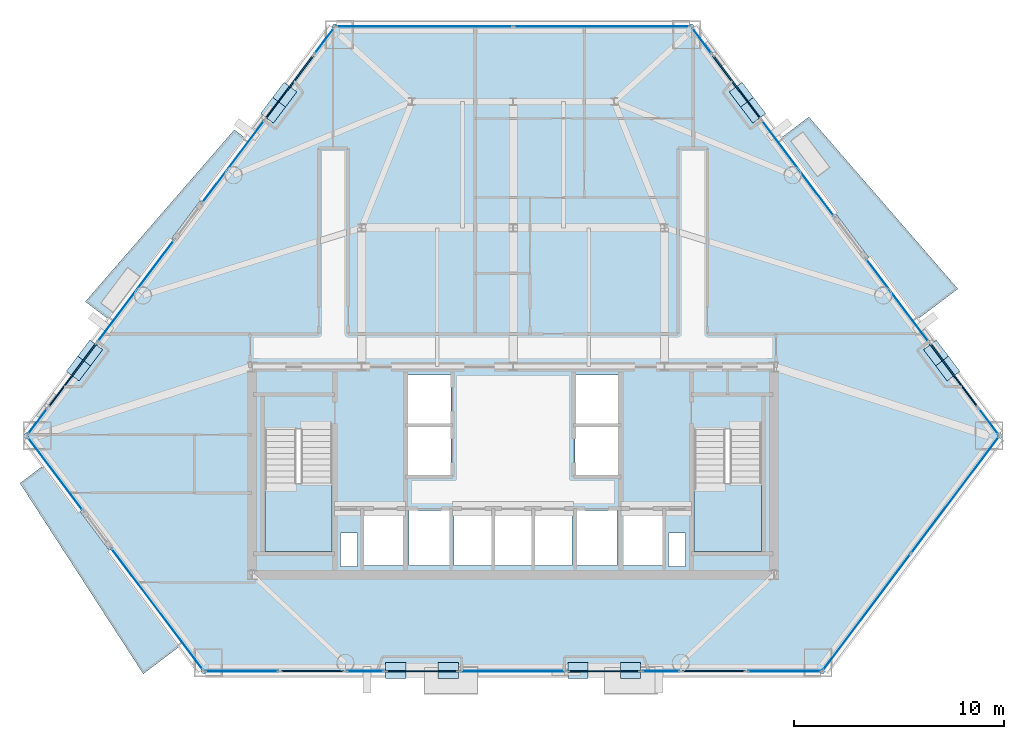
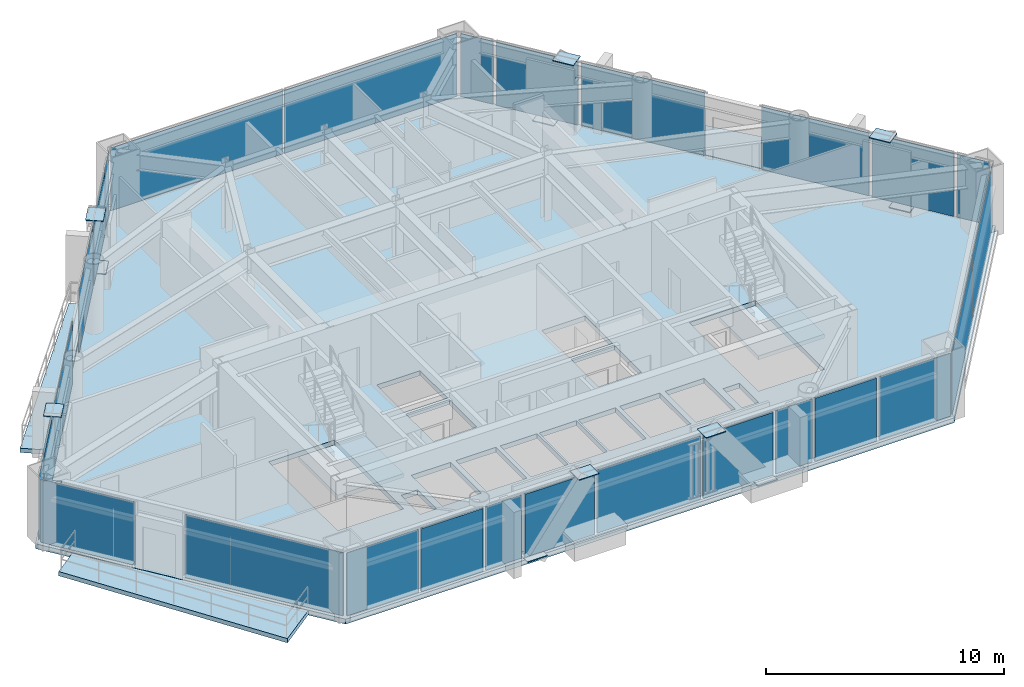
# One storey, part 5 of 10: 39 plates, 6 slabs, 27 elements without a shape of their own.
"""IFC4 building model written with IfcOpenShell, lengths in metres."""

from ifc_helpers import new_model, si_unit, direction, frame, origin, origin_2d, place, context, subcontext, project, spatial, polyline, rectangle, outline, extrude, source, transform, mapped, material, layer, layer_set, type_object, type_shapes, element, aggregate, save


model = new_model("IFC4")

# Units and contexts
model_context = context("Model", 3, precision=1e-05, world=origin(), true_north=direction((0.0, 1.0)))
body_context = subcontext(model_context, "Body", "Model", "MODEL_VIEW")
ifc_project = project(units=[si_unit("LENGTHUNIT", "METRE"), si_unit("AREAUNIT", "SQUARE_METRE"), si_unit("VOLUMEUNIT", "CUBIC_METRE"), si_unit("PLANEANGLEUNIT", "RADIAN"), si_unit("MASSUNIT", "GRAM", prefix="KILO")], contexts=[model_context])

# Site, building, storey
site_placement = place(None, origin())
site = spatial("IfcSite", under=ifc_project, at=site_placement, CompositionType="ELEMENT")
building_placement = place(site_placement, origin())
building = spatial("IfcBuilding", under=site, at=building_placement, Name="Talgorran Terracotta Tower", CompositionType="ELEMENT")
storey_placement = place(building_placement, frame((0.0, 0.0, 31.5)))
storey = spatial("IfcBuildingStorey", under=building, at=storey_placement, Name="L07", CompositionType="ELEMENT", Elevation=31.5)

# Plates
ifc_material_1 = material(Name="Steel Grade 350 (350L0)", Category="steel")
ifc_layer_1 = layer(ifc_material_1, 0.0400390625, Name="PL_CAP_MN05")
ifc_layer_set_1 = layer_set([ifc_layer_1], Name="Steel Grade 350 (350L0)")
plate_type_1 = type_object("IfcPlateType", Name="PL_CAP_MN05", PredefinedType="USERDEFINED", material=ifc_layer_set_1)
for number, where, z_axis, x_axis, name in (
    (1, (-5.57666015625, -18.639892578125, -0.010009765625), (0.0, 0.0, 1.0), (1.0, 0.0, 0.0), "L07 Diagonal Frame End Cap SWF Bot"),
    (2, (-3.081787109375, -18.639892578125, 3.320068359375), (0.0, 0.0, 1.0), (1.0, 0.0, 0.0), "L07 Diagonal Frame End Cap SWF Top"),
    (3, (5.57666015625, -18.639892578125, -0.010009765625), (0.0, 0.0, 1.0), (-1.0, 0.0, 0.0), "L07 Diagonal Frame End Cap SEF Bot"),
    (4, (3.081787109375, -18.639892578125, 3.320068359375), (0.0, 0.0, 1.0), (-1.0, 0.0, 0.0), "L07 Diagonal Frame End Cap SEF Top"),
    (5, (20.64794921875, -4.2666015625, -0.010009765625), (0.0, 0.0, 1.0), (-0.601815023152, 0.798635510047, 0.0), "L07 Diagonal Frame End Cap NEL Bot"),
    (6, (20.1064453125, -3.548095703125, 3.320068359375), (0.0, 0.0, 1.0), (-0.601815023152, 0.798635510047, 0.0), "L07 Diagonal Frame End Cap NEL Top"),
    (7, (10.8720703125, 8.70654296875, -0.010009765625), (0.0, 0.0, 1.0), (0.601815023152, -0.798635510047, 0.0), "L07 Diagonal Frame End Cap NEU Bot"),
    (8, (11.413330078125, 7.988037109375, 3.320068359375), (0.0, 0.0, 1.0), (0.601815023152, -0.798635510047, 0.0), "L07 Diagonal Frame End Cap NEU Top"),
    (9, (-10.8720703125, 8.70654296875, -0.010009765625), (0.0, 0.0, 1.0), (-0.601815023152, -0.798635510047, 0.0), "L07 Diagonal Frame End Cap NWU Bot"),
    (10, (-11.413330078125, 7.988037109375, 3.320068359375), (0.0, 0.0, 1.0), (-0.601815023152, -0.798635510047, 0.0), "L07 Diagonal Frame End Cap NWU Top"),
    (11, (-20.64794921875, -4.2666015625, -0.010009765625), (0.0, 0.0, 1.0), (0.601815023152, 0.798635510047, 0.0), "L07 Diagonal Frame End Cap NWL Bot"),
    (12, (-20.1064453125, -3.548095703125, 3.320068359375), (0.0, 0.0, 1.0), (0.601815023152, 0.798635510047, 0.0), "L07 Diagonal Frame End Cap NWL Top"),
):
    element("IfcPlate", number, at=place(storey_placement, frame(where, z_axis=z_axis, x_axis=x_axis)), inside=storey, type_object=plate_type_1, Name=name, ObjectType="CAP PLATE", PredefinedType="USERDEFINED", context=body_context, shape_type="SweptSolid", body=[
        extrude(rectangle(XDim=0.9599609375, YDim=0.760009765625, at=origin_2d()), origin(), (0.0, 0.0, 1.0), 0.0400390625),
    ])

# Slabs
ifc_material_2 = material(Name="Concrete C40/50", Category="concrete")
ifc_layer_2 = layer(ifc_material_2, 0.219970703125, Name="SL_BALCONY_220")
ifc_layer_set_2 = layer_set([ifc_layer_2], Name="Concrete C40/50")
slab_type_1 = type_object("IfcSlabType", Name="SL_BALCONY_220", PredefinedType="FLOOR", material=ifc_layer_set_2)
slab_1_placement = place(storey_placement, frame((0.0, 0.0, -0.219970703125)))
element("IfcSlab", 13, at=slab_1_placement, inside=storey, type_object=slab_type_1, Name="L07 Outdoor Wave Balcony BAL-NE", PredefinedType="FLOOR", context=body_context, shape_type="SweptSolid", body=[
    extrude(outline(polyline([(12.665771484375, 6.61669921875), (19.158203125, -1.998779296875), (21.143798828125, -0.50244140625), (14.06005859375, 7.66748046875), (12.665771484375, 6.61669921875)])), origin(), (0.0, 0.0, 1.0), 0.219970703125),
])
slab_2_placement = place(storey_placement, frame((0.0, 0.0, -0.219970703125)))
element("IfcSlab", 14, at=slab_2_placement, inside=storey, type_object=slab_type_1, Name="L07 Outdoor Wave Balcony BAL-NW", PredefinedType="FLOOR", context=body_context, shape_type="SweptSolid", body=[
    extrude(outline(polyline([(-19.158203125, -1.998779296875), (-12.665771484375, 6.61669921875), (-13.251708984375, 7.058349609375), (-20.335693359375, -1.111572265625), (-19.158203125, -1.998779296875)])), origin(), (0.0, 0.0, 1.0), 0.219970703125),
])
slab_3_placement = place(storey_placement, frame((0.0, 0.0, -0.219970703125)))
element("IfcSlab", 15, at=slab_3_placement, inside=storey, type_object=slab_type_1, Name="L07 Outdoor Wave Balcony BAL-SW", PredefinedType="FLOOR", context=body_context, shape_type="SweptSolid", body=[
    extrude(outline(polyline([(-15.789794921875, -17.451904296875), (-22.266845703125, -8.856689453125), (-23.442626953125, -9.74267578125), (-17.582275390625, -18.802490234375), (-15.789794921875, -17.451904296875)])), origin(), (0.0, 0.0, 1.0), 0.219970703125),
])

# Stair, slab
stair_type = type_object("IfcStairType", Name="ST_FIRE_SCISSOR", PredefinedType="HALF_TURN_STAIR", material=ifc_material_2)
stair_1_placement = place(storey_placement, origin())
stair_1 = element("IfcStair", 16, at=stair_1_placement, inside=storey, type_object=stair_type, Name="L07 West Protected Fire Stair ST-01", PredefinedType="HALF_TURN_STAIR")
ifc_layer_3 = layer(ifc_material_2, 0.199951171875, Name="SL_LANDING_200")
ifc_layer_set_3 = layer_set([ifc_layer_3], Name="Concrete C40/50")
slab_type_2 = type_object("IfcSlabType", Name="SL_LANDING_200", PredefinedType="LANDING", material=ifc_layer_set_3)
slab_4_placement = place(storey_placement, frame((0.0, 0.0, 1.60009765625)))
slab_4 = element("IfcSlab", 17, at=slab_4_placement, type_object=slab_type_2, Name="ST-01 landing 1", PredefinedType="LANDING", context=body_context, shape_type="SweptSolid", body=[
    extrude(outline(polyline([(-11.800048828125, -9.719970703125), (-11.800048828125, -13.0), (-8.60009765625, -13.0), (-8.60009765625, -9.719970703125), (-11.800048828125, -9.719970703125)])), origin(), (0.0, 0.0, 1.0), 0.199951171875),
])
aggregate(stair_1, [slab_4])

stair_2_placement = place(storey_placement, origin())
stair_2 = element("IfcStair", 18, at=stair_2_placement, inside=storey, type_object=stair_type, Name="L07 East Protected Fire Stair ST-02", PredefinedType="HALF_TURN_STAIR")
slab_5_placement = place(storey_placement, frame((0.0, 0.0, 1.60009765625)))
slab_5 = element("IfcSlab", 19, at=slab_5_placement, type_object=slab_type_2, Name="ST-02 landing 1", PredefinedType="LANDING", context=body_context, shape_type="SweptSolid", body=[
    extrude(outline(polyline([(8.60009765625, -9.719970703125), (8.60009765625, -13.0), (11.800048828125, -13.0), (11.800048828125, -9.719970703125), (8.60009765625, -9.719970703125)])), origin(), (0.0, 0.0, 1.0), 0.199951171875),
])
aggregate(stair_2, [slab_5])

# Slab
ifc_layer_4 = layer(ifc_material_2, 0.264892578125, Name="SL_TOWER_265")
ifc_layer_set_4 = layer_set([ifc_layer_4], Name="Concrete C40/50")
slab_type_3 = type_object("IfcSlabType", Name="SL_TOWER_265", PredefinedType="FLOOR", material=ifc_layer_set_4)
slab_6_placement = place(storey_placement, frame((0.0, 0.0, -0.25)))
element("IfcSlab", 20, at=slab_6_placement, inside=storey, type_object=slab_type_3, Name="Storey L07 Structural Floor Slab", PredefinedType="FLOOR", context=body_context, shape_type="SweptSolid", body=[
    extrude(outline(polyline([(-23.277587890625, -7.490478515625), (-14.755126953125, -18.800048828125), (14.755126953125, -18.800048828125), (23.277587890625, -7.490478515625), (8.5224609375, 12.09033203125), (-8.5224609375, 12.09033203125), (-23.277587890625, -7.490478515625)]), holes=[polyline([(-11.800048828125, -7.199951171875), (-11.800048828125, -13.0), (-8.60009765625, -13.0), (-8.60009765625, -7.199951171875), (-11.800048828125, -7.199951171875)]), polyline([(8.60009765625, -7.199951171875), (8.60009765625, -13.0), (11.800048828125, -13.0), (11.800048828125, -7.199951171875), (8.60009765625, -7.199951171875)]), polyline([(-7.10009765625, -13.64990234375), (-5.199951171875, -13.64990234375), (-5.199951171875, -11.050048828125), (-7.10009765625, -11.050048828125), (-7.10009765625, -13.64990234375)]), polyline([(5.199951171875, -13.64990234375), (7.10009765625, -13.64990234375), (7.10009765625, -11.050048828125), (5.199951171875, -11.050048828125), (5.199951171875, -13.64990234375)]), polyline([(3.0, -13.64990234375), (4.949951171875, -13.64990234375), (4.949951171875, -11.050048828125), (3.0, -11.050048828125), (3.0, -13.64990234375)]), polyline([(-4.949951171875, -13.64990234375), (-3.0, -13.64990234375), (-3.0, -11.050048828125), (-4.949951171875, -11.050048828125), (-4.949951171875, -13.64990234375)]), polyline([(-5.050048828125, -9.35009765625), (-2.949951171875, -9.35009765625), (-2.949951171875, -7.050048828125), (-5.050048828125, -7.050048828125), (-5.050048828125, -9.35009765625)]), polyline([(-5.050048828125, -6.89990234375), (-2.949951171875, -6.89990234375), (-2.949951171875, -4.60009765625), (-5.050048828125, -4.60009765625), (-5.050048828125, -6.89990234375)]), polyline([(2.949951171875, -9.35009765625), (5.050048828125, -9.35009765625), (5.050048828125, -7.050048828125), (2.949951171875, -7.050048828125), (2.949951171875, -9.35009765625)]), polyline([(2.949951171875, -6.89990234375), (5.050048828125, -6.89990234375), (5.050048828125, -4.60009765625), (2.949951171875, -4.60009765625), (2.949951171875, -6.89990234375)]), polyline([(-2.800048828125, -13.64990234375), (-1.0, -13.64990234375), (-1.0, -11.050048828125), (-2.800048828125, -11.050048828125), (-2.800048828125, -13.64990234375)]), polyline([(-0.89990234375, -13.64990234375), (0.89990234375, -13.64990234375), (0.89990234375, -11.050048828125), (-0.89990234375, -11.050048828125), (-0.89990234375, -13.64990234375)]), polyline([(1.0, -13.64990234375), (2.800048828125, -13.64990234375), (2.800048828125, -11.050048828125), (1.0, -11.050048828125), (1.0, -13.64990234375)]), polyline([(-8.199951171875, -13.699951171875), (-7.39990234375, -13.699951171875), (-7.39990234375, -12.10009765625), (-8.199951171875, -12.10009765625), (-8.199951171875, -13.699951171875)]), polyline([(7.39990234375, -13.699951171875), (8.199951171875, -13.699951171875), (8.199951171875, -12.10009765625), (7.39990234375, -12.10009765625), (7.39990234375, -13.699951171875)])]), origin(), (0.0, 0.0, 1.0), 0.25),
])

# Curtain wall, plate
ifc_material_3 = material(Name="Unitised Low-E Double Glazing", Category="glass")
ifc_layer_5 = layer(ifc_material_3, 0.199951171875, Name="CW_SYS2_RES_LOW")
ifc_layer_set_5 = layer_set([ifc_layer_5], Name="Unitised Low-E Double Glazing")
curtain_wall_type = type_object("IfcCurtainWallType", Name="CW_SYS2_RES_LOW", PredefinedType="NOTDEFINED", material=ifc_layer_set_5)
curtain_wall_1_placement = place(storey_placement, origin())
curtain_wall_1 = element("IfcCurtainWall", 21, at=curtain_wall_1_placement, inside=storey, type_object=curtain_wall_type, Name="CW-L07-F10", PredefinedType="NOTDEFINED")
ifc_material_4 = material(Name="Low-E Laminated Vision Glass", Category="glass")
ifc_layer_6 = layer(ifc_material_4, 0.028076171875, Name="PLT_VISION_28")
ifc_layer_set_6 = layer_set([ifc_layer_6], Name="Low-E Laminated Vision Glass")
plate_type_2 = type_object("IfcPlateType", Name="PLT_VISION_28", PredefinedType="CURTAIN_PANEL", material=ifc_layer_set_6)
shared_shape_1 = source(origin(), body_context, "Body", "SweptSolid", [
    extrude(rectangle(XDim=4.306396484375, YDim=0.028076171875, at=origin_2d()), origin(), (0.0, 0.0, 1.0), 3.219970703125),
])
plate_1_placement = place(storey_placement, frame((-21.768310546875, -9.2939453125, 0.06494140625), z_axis=(0.0, 0.0, 1.0), x_axis=(0.601801694491, -0.79864555374, 0.0)))
plate_1 = element("IfcPlate", 22, at=plate_1_placement, type_object=plate_type_2, Name="CW-L07-10 panel 1.1", PredefinedType="CURTAIN_PANEL", context=body_context, shape_type="MappedRepresentation", body=[
    mapped(shared_shape_1, transform((0.0, 0.0, 0.0), scale=1.0)),
])
aggregate(curtain_wall_1, [plate_1])

curtain_wall_2_placement = place(storey_placement, origin())
curtain_wall_2 = element("IfcCurtainWall", 23, at=curtain_wall_2_placement, inside=storey, type_object=curtain_wall_type, Name="CW-L07-F11", PredefinedType="NOTDEFINED")
shared_shape_2 = source(origin(), body_context, "Body", "SweptSolid", [
    extrude(rectangle(XDim=7.204345703125, YDim=0.028076171875, at=origin_2d()), origin(), (0.0, 0.0, 1.0), 3.219970703125),
])
plate_2_placement = place(storey_placement, frame((-16.926513671875, -15.71923828125, 0.06494140625), z_axis=(0.0, 0.0, 1.0), x_axis=(0.601811296909, -0.798638317959, 0.0)))
plate_2 = element("IfcPlate", 24, at=plate_2_placement, type_object=plate_type_2, Name="CW-L07-11 panel 1.1", PredefinedType="CURTAIN_PANEL", context=body_context, shape_type="MappedRepresentation", body=[
    mapped(shared_shape_2, transform((0.0, 0.0, 0.0), scale=1.0)),
])
aggregate(curtain_wall_2, [plate_2])

curtain_wall_3_placement = place(storey_placement, origin())
curtain_wall_3 = element("IfcCurtainWall", 25, at=curtain_wall_3_placement, inside=storey, type_object=curtain_wall_type, Name="CW-L07-F1", PredefinedType="NOTDEFINED")
shared_shape_3 = source(origin(), body_context, "Body", "SweptSolid", [
    extrude(rectangle(XDim=3.458984375, YDim=0.028076171875, at=origin_2d()), origin(), (0.0, 0.0, 1.0), 3.219970703125),
])
plate_3_placement = place(storey_placement, frame((-12.90087890625, -18.679931640625, 0.06494140625), z_axis=(0.0, 0.0, 1.0), x_axis=(1.0, 0.0, 0.0)))
plate_3 = element("IfcPlate", 26, at=plate_3_placement, type_object=plate_type_2, Name="CW-L07-1 panel 1.1", PredefinedType="CURTAIN_PANEL", context=body_context, shape_type="MappedRepresentation", body=[
    mapped(shared_shape_3, transform((0.0, 0.0, 0.0), scale=1.0)),
])
aggregate(curtain_wall_3, [plate_3])

curtain_wall_4_placement = place(storey_placement, origin())
curtain_wall_4 = element("IfcCurtainWall", 27, at=curtain_wall_4_placement, inside=storey, type_object=curtain_wall_type, Name="CW-L07-F1I", PredefinedType="NOTDEFINED")
plate_4_placement = place(storey_placement, frame((12.90087890625, -18.679931640625, 0.06494140625), z_axis=(0.0, 0.0, 1.0), x_axis=(1.0, 0.0, 0.0)))
plate_4 = element("IfcPlate", 28, at=plate_4_placement, type_object=plate_type_2, Name="CW-L07-1I panel 1.1", PredefinedType="CURTAIN_PANEL", context=body_context, shape_type="MappedRepresentation", body=[
    mapped(shared_shape_3, transform((0.0, 0.0, 0.0), scale=1.0)),
])
aggregate(curtain_wall_4, [plate_4])

curtain_wall_5_placement = place(storey_placement, origin())
curtain_wall_5 = element("IfcCurtainWall", 29, at=curtain_wall_5_placement, inside=storey, type_object=curtain_wall_type, Name="CW-L07-F1B", PredefinedType="NOTDEFINED")
ifc_material_5 = material(Name="Terracotta Insulated Spandrel", Category="masonry")
ifc_layer_7 = layer(ifc_material_5, 0.06494140625, Name="PLT_SPANDREL_TERRA")
ifc_layer_set_7 = layer_set([ifc_layer_7], Name="Terracotta Insulated Spandrel")
plate_type_3 = type_object("IfcPlateType", Name="PLT_SPANDREL_TERRA", PredefinedType="SHEET", material=ifc_layer_set_7)
shared_shape_4 = source(origin(), body_context, "Body", "SweptSolid", [
    extrude(rectangle(XDim=2.98486328125, YDim=0.06494140625, at=origin_2d()), origin(), (0.0, 0.0, 1.0), 3.219970703125),
])
plate_5_placement = place(storey_placement, frame((-9.5390625, -18.679931640625, 0.06494140625), z_axis=(0.0, 0.0, 1.0), x_axis=(1.0, 0.0, 0.0)))
plate_5 = element("IfcPlate", 30, at=plate_5_placement, type_object=plate_type_3, Name="CW-L07-1B panel 1.1", PredefinedType="CURTAIN_PANEL", context=body_context, shape_type="MappedRepresentation", body=[
    mapped(shared_shape_4, transform((0.0, 0.0, 0.0), scale=1.0)),
])
aggregate(curtain_wall_5, [plate_5])

curtain_wall_6_placement = place(storey_placement, origin())
curtain_wall_6 = element("IfcCurtainWall", 31, at=curtain_wall_6_placement, inside=storey, type_object=curtain_wall_type, Name="CW-L07-F1H", PredefinedType="NOTDEFINED")
plate_6_placement = place(storey_placement, frame((9.5390625, -18.679931640625, 0.06494140625), z_axis=(0.0, 0.0, 1.0), x_axis=(1.0, 0.0, 0.0)))
plate_6 = element("IfcPlate", 32, at=plate_6_placement, type_object=plate_type_3, Name="CW-L07-1H panel 1.1", PredefinedType="CURTAIN_PANEL", context=body_context, shape_type="MappedRepresentation", body=[
    mapped(shared_shape_4, transform((0.0, 0.0, 0.0), scale=1.0)),
])
aggregate(curtain_wall_6, [plate_6])

curtain_wall_7_placement = place(storey_placement, origin())
curtain_wall_7 = element("IfcCurtainWall", 33, at=curtain_wall_7_placement, inside=storey, type_object=curtain_wall_type, Name="CW-L07-F1C", PredefinedType="NOTDEFINED")
shared_shape_5 = source(origin(), body_context, "Body", "SweptSolid", [
    extrude(rectangle(XDim=1.7470703125, YDim=0.028076171875, at=origin_2d()), origin(), (0.0, 0.0, 1.0), 3.219970703125),
])
plate_7_placement = place(storey_placement, frame((-7.032958984375, -18.679931640625, 0.06494140625), z_axis=(0.0, 0.0, 1.0), x_axis=(1.0, 0.0, 0.0)))
plate_7 = element("IfcPlate", 34, at=plate_7_placement, type_object=plate_type_2, Name="CW-L07-1C panel 1.1", PredefinedType="CURTAIN_PANEL", context=body_context, shape_type="MappedRepresentation", body=[
    mapped(shared_shape_5, transform((0.0, 0.0, 0.0), scale=1.0)),
])
aggregate(curtain_wall_7, [plate_7])

curtain_wall_8_placement = place(storey_placement, origin())
curtain_wall_8 = element("IfcCurtainWall", 35, at=curtain_wall_8_placement, inside=storey, type_object=curtain_wall_type, Name="CW-L07-F1G", PredefinedType="NOTDEFINED")
plate_8_placement = place(storey_placement, frame((7.032958984375, -18.679931640625, 0.06494140625), z_axis=(0.0, 0.0, 1.0), x_axis=(1.0, 0.0, 0.0)))
plate_8 = element("IfcPlate", 36, at=plate_8_placement, type_object=plate_type_2, Name="CW-L07-1G panel 1.1", PredefinedType="CURTAIN_PANEL", context=body_context, shape_type="MappedRepresentation", body=[
    mapped(shared_shape_5, transform((0.0, 0.0, 0.0), scale=1.0)),
])
aggregate(curtain_wall_8, [plate_8])

curtain_wall_9_placement = place(storey_placement, origin())
curtain_wall_9 = element("IfcCurtainWall", 37, at=curtain_wall_9_placement, inside=storey, type_object=curtain_wall_type, Name="CW-L07-F1D", PredefinedType="NOTDEFINED")
shared_shape_6 = source(origin(), body_context, "Body", "SweptSolid", [
    extrude(rectangle(XDim=3.380615234375, YDim=0.06494140625, at=origin_2d()), origin(), (0.0, 0.0, 1.0), 3.219970703125),
])
plate_9_placement = place(storey_placement, frame((-4.329345703125, -18.679931640625, 0.06494140625), z_axis=(0.0, 0.0, 1.0), x_axis=(1.0, 0.0, 0.0)))
plate_9 = element("IfcPlate", 38, at=plate_9_placement, type_object=plate_type_3, Name="CW-L07-1D panel 1.1", PredefinedType="CURTAIN_PANEL", context=body_context, shape_type="MappedRepresentation", body=[
    mapped(shared_shape_6, transform((0.0, 0.0, 0.0), scale=1.0)),
])
aggregate(curtain_wall_9, [plate_9])

curtain_wall_10_placement = place(storey_placement, origin())
curtain_wall_10 = element("IfcCurtainWall", 39, at=curtain_wall_10_placement, inside=storey, type_object=curtain_wall_type, Name="CW-L07-F1F", PredefinedType="NOTDEFINED")
plate_10_placement = place(storey_placement, frame((4.329345703125, -18.679931640625, 0.06494140625), z_axis=(0.0, 0.0, 1.0), x_axis=(1.0, 0.0, 0.0)))
plate_10 = element("IfcPlate", 40, at=plate_10_placement, type_object=plate_type_3, Name="CW-L07-1F panel 1.1", PredefinedType="CURTAIN_PANEL", context=body_context, shape_type="MappedRepresentation", body=[
    mapped(shared_shape_6, transform((0.0, 0.0, 0.0), scale=1.0)),
])
aggregate(curtain_wall_10, [plate_10])

curtain_wall_11_placement = place(storey_placement, origin())
curtain_wall_11 = element("IfcCurtainWall", 41, at=curtain_wall_11_placement, inside=storey, type_object=curtain_wall_type, Name="CW-L07-F1E", PredefinedType="NOTDEFINED")
shared_shape_7 = source(origin(), body_context, "Body", "SweptSolid", [
    extrude(rectangle(XDim=4.998046875, YDim=0.028076171875, at=origin_2d()), origin(), (0.0, 0.0, 1.0), 3.219970703125),
])
plate_11_placement = place(storey_placement, frame((0.0, -18.679931640625, 0.06494140625), z_axis=(0.0, 0.0, 1.0), x_axis=(1.0, 0.0, 0.0)))
plate_11 = element("IfcPlate", 42, at=plate_11_placement, type_object=plate_type_2, Name="CW-L07-1E panel 1.1", PredefinedType="CURTAIN_PANEL", context=body_context, shape_type="MappedRepresentation", body=[
    mapped(shared_shape_7, transform((0.0, 0.0, 0.0), scale=1.0)),
])
aggregate(curtain_wall_11, [plate_11])

# Curtain wall, plates
curtain_wall_12_placement = place(storey_placement, origin())
curtain_wall_12 = element("IfcCurtainWall", 43, at=curtain_wall_12_placement, inside=storey, type_object=curtain_wall_type, Name="CW-L07-F2", PredefinedType="NOTDEFINED")
shared_shape_8 = source(origin(), body_context, "Body", "SweptSolid", [
    extrude(rectangle(XDim=6.907958984375, YDim=0.028076171875, at=origin_2d()), origin(), (0.0, 0.0, 1.0), 3.219970703125),
])
plate_12_placement = place(storey_placement, frame((16.813232421875, -15.86962890625, 0.06494140625), z_axis=(0.0, 0.0, 1.0), x_axis=(0.60181190941, 0.79863785641, 0.0)))
plate_12 = element("IfcPlate", 44, at=plate_12_placement, type_object=plate_type_2, Name="CW-L07-2 panel 1.1", PredefinedType="CURTAIN_PANEL", context=body_context, shape_type="MappedRepresentation", body=[
    mapped(shared_shape_8, transform((0.0, 0.0, 0.0), scale=1.0)),
])
plate_13_placement = place(storey_placement, frame((21.009521484375, -10.30078125, 0.06494140625), z_axis=(0.0, 0.0, 1.0), x_axis=(0.60181190941, 0.79863785641, 0.0)))
plate_13 = element("IfcPlate", 45, at=plate_13_placement, type_object=plate_type_2, Name="CW-L07-2 panel 2.1", PredefinedType="CURTAIN_PANEL", context=body_context, shape_type="MappedRepresentation", body=[
    mapped(shared_shape_8, transform((0.0, 0.0, 0.0), scale=1.0)),
])
aggregate(curtain_wall_12, [plate_12, plate_13])

# Curtain wall, plate
curtain_wall_13_placement = place(storey_placement, origin())
curtain_wall_13 = element("IfcCurtainWall", 46, at=curtain_wall_13_placement, inside=storey, type_object=curtain_wall_type, Name="CW-L07-F40", PredefinedType="NOTDEFINED")
shared_shape_9 = source(origin(), body_context, "Body", "SweptSolid", [
    extrude(rectangle(XDim=1.50732421875, YDim=0.028076171875, at=origin_2d()), origin(), (0.0, 0.0, 1.0), 3.219970703125),
])
plate_14_placement = place(storey_placement, frame((22.610595703125, -6.8046875, 0.06494140625), z_axis=(0.0, 0.0, 1.0), x_axis=(-0.601796606007, 0.798649388029, 0.0)))
plate_14 = element("IfcPlate", 47, at=plate_14_placement, type_object=plate_type_2, Name="CW-L07-40 panel 1.1", PredefinedType="CURTAIN_PANEL", context=body_context, shape_type="MappedRepresentation", body=[
    mapped(shared_shape_9, transform((0.0, 0.0, 0.0), scale=1.0)),
])
aggregate(curtain_wall_13, [plate_14])

curtain_wall_14_placement = place(storey_placement, origin())
curtain_wall_14 = element("IfcCurtainWall", 48, at=curtain_wall_14_placement, inside=storey, type_object=curtain_wall_type, Name="CW-L07-F61C", PredefinedType="NOTDEFINED")
plate_15_placement = place(storey_placement, frame((-22.610595703125, -6.8046875, 0.06494140625), z_axis=(0.0, 0.0, 1.0), x_axis=(-0.601835561594, -0.798620032807, 0.0)))
plate_15 = element("IfcPlate", 49, at=plate_15_placement, type_object=plate_type_2, Name="CW-L07-61C panel 1.1", PredefinedType="CURTAIN_PANEL", context=body_context, shape_type="MappedRepresentation", body=[
    mapped(shared_shape_9, transform((0.0, 0.0, 0.0), scale=1.0)),
])
aggregate(curtain_wall_14, [plate_15])

curtain_wall_15_placement = place(storey_placement, origin())
curtain_wall_15 = element("IfcCurtainWall", 50, at=curtain_wall_15_placement, inside=storey, type_object=curtain_wall_type, Name="CW-L07-F40B", PredefinedType="NOTDEFINED")
shared_shape_10 = source(origin(), body_context, "Body", "SweptSolid", [
    extrude(rectangle(XDim=3.729248046875, YDim=0.06494140625, at=origin_2d()), origin(), (0.0, 0.0, 1.0), 3.219970703125),
])
type_shapes(plate_type_3, [shared_shape_4, shared_shape_6, shared_shape_10])
plate_16_placement = place(storey_placement, frame((20.95068359375, -4.601806640625, 0.06494140625), z_axis=(0.0, 0.0, 1.0), x_axis=(-0.601814313624, 0.798636044714, 0.0)))
plate_16 = element("IfcPlate", 51, at=plate_16_placement, type_object=plate_type_3, Name="CW-L07-40B panel 1.1", PredefinedType="CURTAIN_PANEL", context=body_context, shape_type="MappedRepresentation", body=[
    mapped(shared_shape_10, transform((0.0, 0.0, 0.0), scale=1.0)),
])
aggregate(curtain_wall_15, [plate_16])

curtain_wall_16_placement = place(storey_placement, origin())
curtain_wall_16 = element("IfcCurtainWall", 52, at=curtain_wall_16_placement, inside=storey, type_object=curtain_wall_type, Name="CW-L07-F41B", PredefinedType="NOTDEFINED")
plate_17_placement = place(storey_placement, frame((10.63330078125, 9.08984375, 0.06494140625), z_axis=(0.0, 0.0, 1.0), x_axis=(-0.601826767546, 0.798626659876, 0.0)))
plate_17 = element("IfcPlate", 53, at=plate_17_placement, type_object=plate_type_3, Name="CW-L07-41B panel 1.1", PredefinedType="CURTAIN_PANEL", context=body_context, shape_type="MappedRepresentation", body=[
    mapped(shared_shape_10, transform((0.0, 0.0, 0.0), scale=1.0)),
])
aggregate(curtain_wall_16, [plate_17])

curtain_wall_17_placement = place(storey_placement, origin())
curtain_wall_17 = element("IfcCurtainWall", 54, at=curtain_wall_17_placement, inside=storey, type_object=curtain_wall_type, Name="CW-L07-F60B", PredefinedType="NOTDEFINED")
plate_18_placement = place(storey_placement, frame((-10.63330078125, 9.090087890625, 0.06494140625), z_axis=(0.0, 0.0, 1.0), x_axis=(-0.601814313624, -0.798636044714, 0.0)))
plate_18 = element("IfcPlate", 55, at=plate_18_placement, type_object=plate_type_3, Name="CW-L07-60B panel 1.1", PredefinedType="CURTAIN_PANEL", context=body_context, shape_type="MappedRepresentation", body=[
    mapped(shared_shape_10, transform((0.0, 0.0, 0.0), scale=1.0)),
])
aggregate(curtain_wall_17, [plate_18])

curtain_wall_18_placement = place(storey_placement, origin())
curtain_wall_18 = element("IfcCurtainWall", 56, at=curtain_wall_18_placement, inside=storey, type_object=curtain_wall_type, Name="CW-L07-F61B", PredefinedType="NOTDEFINED")
plate_19_placement = place(storey_placement, frame((-20.950439453125, -4.601806640625, 0.06494140625), z_axis=(0.0, 0.0, 1.0), x_axis=(-0.601797786547, -0.798648498469, 0.0)))
plate_19 = element("IfcPlate", 57, at=plate_19_placement, type_object=plate_type_3, Name="CW-L07-61B panel 1.1", PredefinedType="CURTAIN_PANEL", context=body_context, shape_type="MappedRepresentation", body=[
    mapped(shared_shape_10, transform((0.0, 0.0, 0.0), scale=1.0)),
])
aggregate(curtain_wall_18, [plate_19])

curtain_wall_19_placement = place(storey_placement, origin())
curtain_wall_19 = element("IfcCurtainWall", 58, at=curtain_wall_19_placement, inside=storey, type_object=curtain_wall_type, Name="CW-L07-F40C", PredefinedType="NOTDEFINED")
shared_shape_11 = source(origin(), body_context, "Body", "SweptSolid", [
    extrude(rectangle(XDim=4.89501953125, YDim=0.028076171875, at=origin_2d()), origin(), (0.0, 0.0, 1.0), 3.219970703125),
])
plate_20_placement = place(storey_placement, frame((18.271240234375, -1.046142578125, 0.06494140625), z_axis=(0.0, 0.0, 1.0), x_axis=(-0.601797447619, 0.798648753858, 0.0)))
plate_20 = element("IfcPlate", 59, at=plate_20_placement, type_object=plate_type_2, Name="CW-L07-40C panel 1.1", PredefinedType="CURTAIN_PANEL", context=body_context, shape_type="MappedRepresentation", body=[
    mapped(shared_shape_11, transform((0.0, 0.0, 0.0), scale=1.0)),
])
aggregate(curtain_wall_19, [plate_20])

curtain_wall_20_placement = place(storey_placement, origin())
curtain_wall_20 = element("IfcCurtainWall", 60, at=curtain_wall_20_placement, inside=storey, type_object=curtain_wall_type, Name="CW-L07-F41", PredefinedType="NOTDEFINED")
shared_shape_12 = source(origin(), body_context, "Body", "SweptSolid", [
    extrude(rectangle(XDim=5.649658203125, YDim=0.028076171875, at=origin_2d()), origin(), (0.0, 0.0, 1.0), 3.219970703125),
])
plate_21_placement = place(storey_placement, frame((13.53955078125, 5.23291015625, 0.06494140625), z_axis=(0.0, 0.0, 1.0), x_axis=(-0.60180897727, 0.798640065911, 0.0)))
plate_21 = element("IfcPlate", 61, at=plate_21_placement, type_object=plate_type_2, Name="CW-L07-41 panel 1.1", PredefinedType="CURTAIN_PANEL", context=body_context, shape_type="MappedRepresentation", body=[
    mapped(shared_shape_12, transform((0.0, 0.0, 0.0), scale=1.0)),
])
aggregate(curtain_wall_20, [plate_21])

curtain_wall_21_placement = place(storey_placement, origin())
curtain_wall_21 = element("IfcCurtainWall", 62, at=curtain_wall_21_placement, inside=storey, type_object=curtain_wall_type, Name="CW-L07-F41C", PredefinedType="NOTDEFINED")
shared_shape_13 = source(origin(), body_context, "Body", "SweptSolid", [
    extrude(rectangle(XDim=1.4970703125, YDim=0.028076171875, at=origin_2d()), origin(), (0.0, 0.0, 1.0), 3.219970703125),
])
plate_22_placement = place(storey_placement, frame((8.976318359375, 11.288818359375, 0.06494140625), z_axis=(0.0, 0.0, 1.0), x_axis=(-0.601797976048, 0.798648355676, 0.0)))
plate_22 = element("IfcPlate", 63, at=plate_22_placement, type_object=plate_type_2, Name="CW-L07-41C panel 1.1", PredefinedType="CURTAIN_PANEL", context=body_context, shape_type="MappedRepresentation", body=[
    mapped(shared_shape_13, transform((0.0, 0.0, 0.0), scale=1.0)),
])
aggregate(curtain_wall_21, [plate_22])

curtain_wall_22_placement = place(storey_placement, origin())
curtain_wall_22 = element("IfcCurtainWall", 64, at=curtain_wall_22_placement, inside=storey, type_object=curtain_wall_type, Name="CW-L07-F60", PredefinedType="NOTDEFINED")
plate_23_placement = place(storey_placement, frame((-8.976318359375, 11.288818359375, 0.06494140625), z_axis=(0.0, 0.0, 1.0), x_axis=(-0.601797976048, -0.798648355676, 0.0)))
plate_23 = element("IfcPlate", 65, at=plate_23_placement, type_object=plate_type_2, Name="CW-L07-60 panel 1.1", PredefinedType="CURTAIN_PANEL", context=body_context, shape_type="MappedRepresentation", body=[
    mapped(shared_shape_13, transform((0.0, 0.0, 0.0), scale=1.0)),
])
aggregate(curtain_wall_22, [plate_23])

# Curtain wall, plates
curtain_wall_23_placement = place(storey_placement, origin())
curtain_wall_23 = element("IfcCurtainWall", 66, at=curtain_wall_23_placement, inside=storey, type_object=curtain_wall_type, Name="CW-L07-F4", PredefinedType="NOTDEFINED")
shared_shape_14 = source(origin(), body_context, "Body", "SweptSolid", [
    extrude(rectangle(XDim=8.364990234375, YDim=0.028076171875, at=origin_2d()), origin(), (0.0, 0.0, 1.0), 3.219970703125),
])
plate_24_placement = place(storey_placement, frame((4.215087890625, 11.970458984375, 0.06494140625), z_axis=(0.0, 0.0, 1.0), x_axis=(-1.0, 0.0, 0.0)))
plate_24 = element("IfcPlate", 67, at=plate_24_placement, type_object=plate_type_2, Name="CW-L07-4 panel 1.1", PredefinedType="CURTAIN_PANEL", context=body_context, shape_type="MappedRepresentation", body=[
    mapped(shared_shape_14, transform((0.0, 0.0, 0.0), scale=1.0)),
])
plate_25_placement = place(storey_placement, frame((-4.215087890625, 11.970458984375, 0.06494140625), z_axis=(0.0, 0.0, 1.0), x_axis=(-1.0, 0.0, 0.0)))
plate_25 = element("IfcPlate", 68, at=plate_25_placement, type_object=plate_type_2, Name="CW-L07-4 panel 2.1", PredefinedType="CURTAIN_PANEL", context=body_context, shape_type="MappedRepresentation", body=[
    mapped(shared_shape_14, transform((0.0, 0.0, 0.0), scale=1.0)),
])
aggregate(curtain_wall_23, [plate_24, plate_25])

# Curtain wall, plate
curtain_wall_24_placement = place(storey_placement, origin())
curtain_wall_24 = element("IfcCurtainWall", 69, at=curtain_wall_24_placement, inside=storey, type_object=curtain_wall_type, Name="CW-L07-F60C", PredefinedType="NOTDEFINED")
shared_shape_15 = source(origin(), body_context, "Body", "SweptSolid", [
    extrude(rectangle(XDim=4.843505859375, YDim=0.028076171875, at=origin_2d()), origin(), (0.0, 0.0, 1.0), 3.219970703125),
])
plate_26_placement = place(storey_placement, frame((-13.297119140625, 5.554931640625, 0.06494140625), z_axis=(0.0, 0.0, 1.0), x_axis=(-0.601803219374, -0.798644404696, 0.0)))
plate_26 = element("IfcPlate", 70, at=plate_26_placement, type_object=plate_type_2, Name="CW-L07-60C panel 1.1", PredefinedType="CURTAIN_PANEL", context=body_context, shape_type="MappedRepresentation", body=[
    mapped(shared_shape_15, transform((0.0, 0.0, 0.0), scale=1.0)),
])
aggregate(curtain_wall_24, [plate_26])

curtain_wall_25_placement = place(storey_placement, origin())
curtain_wall_25 = element("IfcCurtainWall", 71, at=curtain_wall_25_placement, inside=storey, type_object=curtain_wall_type, Name="CW-L07-F61", PredefinedType="NOTDEFINED")
shared_shape_16 = source(origin(), body_context, "Body", "SweptSolid", [
    extrude(rectangle(XDim=6.0009765625, YDim=0.028076171875, at=origin_2d()), origin(), (0.0, 0.0, 1.0), 3.219970703125),
])
type_shapes(plate_type_2, [shared_shape_1, shared_shape_2, shared_shape_3, shared_shape_5, shared_shape_7, shared_shape_8, shared_shape_9, shared_shape_11, shared_shape_12, shared_shape_13, shared_shape_14, shared_shape_15, shared_shape_16])
plate_27_placement = place(storey_placement, frame((-17.938232421875, -0.6044921875, 0.06494140625), z_axis=(0.0, 0.0, 1.0), x_axis=(-0.601806970457, -0.798641578125, 0.0)))
plate_27 = element("IfcPlate", 72, at=plate_27_placement, type_object=plate_type_2, Name="CW-L07-61 panel 1.1", PredefinedType="CURTAIN_PANEL", context=body_context, shape_type="MappedRepresentation", body=[
    mapped(shared_shape_16, transform((0.0, 0.0, 0.0), scale=1.0)),
])
aggregate(curtain_wall_25, [plate_27])

save(model, "model.ifc")
